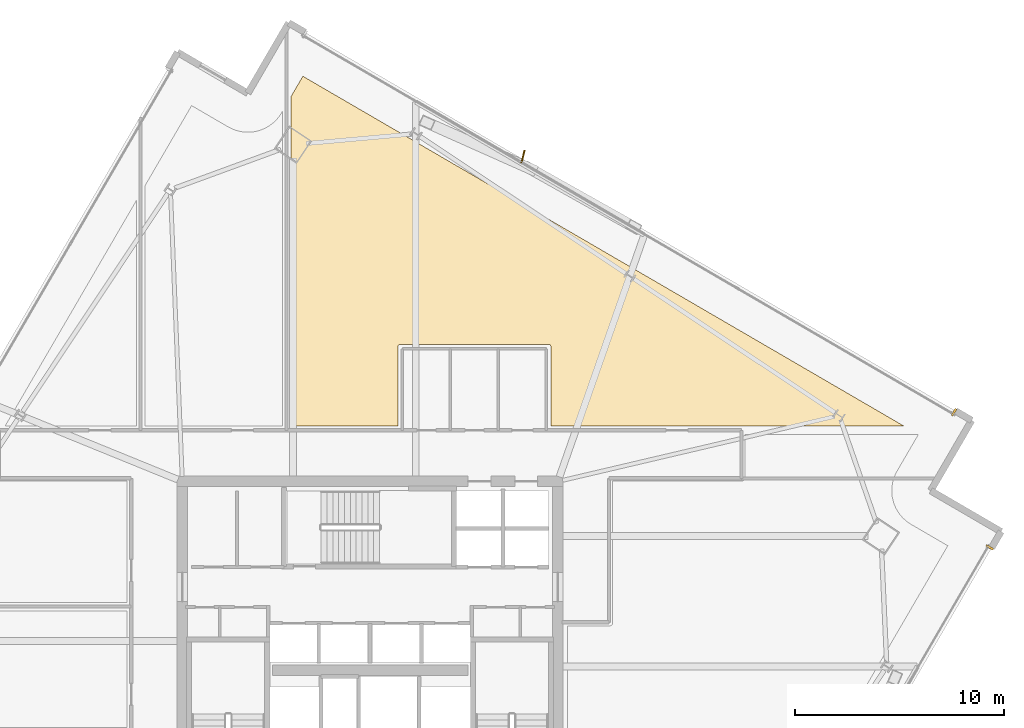
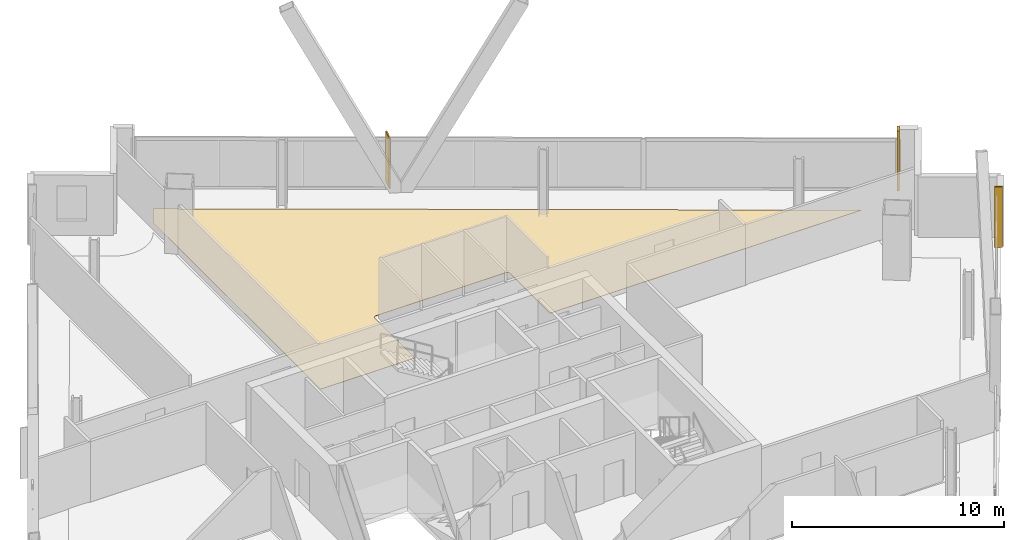
# One storey, part 29 of 29: 3 coverings, 1 shading device.
"""IFC4 building model written with IfcOpenShell, lengths in metres."""

from ifc_helpers import new_model, si_unit, direction, frame, origin, origin_2d, place, context, subcontext, project, spatial, polyline, rectangle, outline, extrude, source, transform, mapped, material, layer, layer_set, type_object, element, save


model = new_model("IFC4")

# Units and contexts
model_context = context("Model", 3, precision=1e-05, world=origin(), true_north=direction((0.0, 1.0)))
body_context = subcontext(model_context, "Body", "Model", "MODEL_VIEW")
ifc_project = project(units=[si_unit("LENGTHUNIT", "METRE"), si_unit("AREAUNIT", "SQUARE_METRE"), si_unit("VOLUMEUNIT", "CUBIC_METRE"), si_unit("PLANEANGLEUNIT", "RADIAN"), si_unit("MASSUNIT", "GRAM", prefix="KILO")], contexts=[model_context])

# Site, building, storey
site_placement = place(None, origin())
site = spatial("IfcSite", under=ifc_project, at=site_placement, CompositionType="ELEMENT")
building_placement = place(site_placement, origin())
building = spatial("IfcBuilding", under=site, at=building_placement, Name="Haldenkirk Collegiate Tower", CompositionType="ELEMENT")
storey_placement = place(building_placement, frame((0.0, 0.0, 228.449951171875)))
storey = spatial("IfcBuildingStorey", under=building, at=storey_placement, Name="L57", CompositionType="ELEMENT", Elevation=228.449951171875)

# Coverings
ifc_material_1 = material(Name="Engineered collegiate oak acoustic flooring", Category="wood")
ifc_layer_1 = layer(ifc_material_1, 0.02197265625)
ifc_layer_set_1 = layer_set([ifc_layer_1], Name="Engineered collegiate oak acoustic flooring")
covering_type_1 = type_object("IfcCoveringType", Name="COV-FLOOR-TIMBER", PredefinedType="FLOORING", material=ifc_layer_set_1)
covering_placement = place(storey_placement, origin())
element("IfcCovering", 1, at=covering_placement, inside=storey, type_object=covering_type_1, Name="L57 academic room finish 07", PredefinedType="FLOORING", context=body_context, shape_type="SweptSolid", body=[
    extrude(outline(polyline([(44.669921875, 40.449951171875), (44.66943359375, 40.4619140625), (44.667724609375, 40.473388671875), (44.664794921875, 40.48486328125), (44.660888671875, 40.495849609375), (44.65576171875, 40.506591796875), (44.64990234375, 40.5166015625), (44.642822265625, 40.526123046875), (44.635009765625, 40.534912109375), (44.626220703125, 40.542724609375), (44.61669921875, 40.5498046875), (44.606689453125, 40.555908203125), (44.595947265625, 40.560791015625), (44.584716796875, 40.564697265625), (44.573486328125, 40.567626953125), (44.561767578125, 40.5693359375), (44.550048828125, 40.570068359375), (37.449951171875, 40.570068359375), (37.438232421875, 40.5693359375), (37.426513671875, 40.567626953125), (37.415283203125, 40.564697265625), (37.404052734375, 40.560791015625), (37.393310546875, 40.555908203125), (37.38330078125, 40.5498046875), (37.373779296875, 40.542724609375), (37.364990234375, 40.534912109375), (37.357177734375, 40.526123046875), (37.35009765625, 40.5166015625), (37.34423828125, 40.506591796875), (37.339111328125, 40.495849609375), (37.335205078125, 40.48486328125), (37.332275390625, 40.473388671875), (37.33056640625, 40.4619140625), (37.330078125, 40.449951171875), (37.330078125, 36.64990234375), (32.199951171875, 36.64990234375), (32.199951171875, 52.431884765625), (32.777099609375, 53.423095703125), (61.596435546875, 36.64990234375), (44.669921875, 36.64990234375), (44.669921875, 40.449951171875)])), origin(), (0.0, 0.0, 1.0), 0.02197265625),
])
ifc_material_2 = material(Name="Anodised architectural bronze aluminium", Category="aluminium")
ifc_layer_2 = layer(ifc_material_2, 0.06005859375)
ifc_layer_set_2 = layer_set([ifc_layer_2], Name="Anodised architectural bronze aluminium")
covering_type_2 = type_object("IfcCoveringType", Name="COV-CLAD-BRONZE-60", PredefinedType="CLADDING", material=ifc_layer_set_2)
shared_shape_1 = source(origin(), body_context, "Body", "SweptSolid", [
    extrude(rectangle(XDim=0.10009765625, YDim=0.3798828125, at=origin_2d()), origin(), (0.0, 0.0, 1.0), 3.469970703125),
])
for number, where, z_axis, x_axis, name in (
    (2, (65.69921875, 30.83740234375, 0.0), (0.0, 0.0, 1.0), (-0.50301994663, -0.864274801954, 0.0), "L57 recessed curtain-wall bronze jamb closure SJL"),
    (3, (63.98681640625, 37.318115234375, 0.0), (0.0, 0.0, 1.0), (0.864274801954, -0.50301994663, 0.0), "L57 recessed curtain-wall bronze jamb closure EJR"),
):
    element("IfcCovering", number, at=place(storey_placement, frame(where, z_axis=z_axis, x_axis=x_axis)), inside=storey, type_object=covering_type_2, Name=name, PredefinedType="CLADDING", context=body_context, shape_type="MappedRepresentation", body=[
        mapped(shared_shape_1, transform((0.0, 0.0, 0.0), x_axis=(1.0, 0.0, 0.0), y_axis=(0.0, 1.0, 0.0), z_axis=(0.0, 0.0, 1.0), scale=1.0)),
    ])

# Shading device
ifc_layer_3 = layer(ifc_material_2, 0.06494140625)
ifc_layer_set_3 = layer_set([ifc_layer_3], Name="Anodised architectural bronze aluminium")
shading_device_type = type_object("IfcShadingDeviceType", Name="SHD-FIN-BRONZE-620", PredefinedType="USERDEFINED", material=ifc_layer_set_3)
shared_shape_2 = source(origin(), body_context, "Body", "SweptSolid", [
    extrude(rectangle(XDim=0.6201171875, YDim=0.06494140625, at=origin_2d()), origin(), (0.0, 0.0, 1.0), 2.927978515625),
])
shading_device_placement = place(storey_placement, frame((43.330078125, 49.577880859375, 0.0), z_axis=(0.0, 0.0, 1.0), x_axis=(0.245307385879, 0.969445349895, 0.0)))
element("IfcShadingDevice", 4, at=shading_device_placement, inside=storey, type_object=shading_device_type, Name="L57 folded bronze solar fin 1", ObjectType="FIN", PredefinedType="USERDEFINED", context=body_context, shape_type="MappedRepresentation", body=[
    mapped(shared_shape_2, transform((0.0, 0.0, 0.0), x_axis=(1.0, 0.0, 0.0), y_axis=(0.0, 1.0, 0.0), z_axis=(0.0, 0.0, 1.0), scale=1.0)),
])

save(model, "model.ifc")
